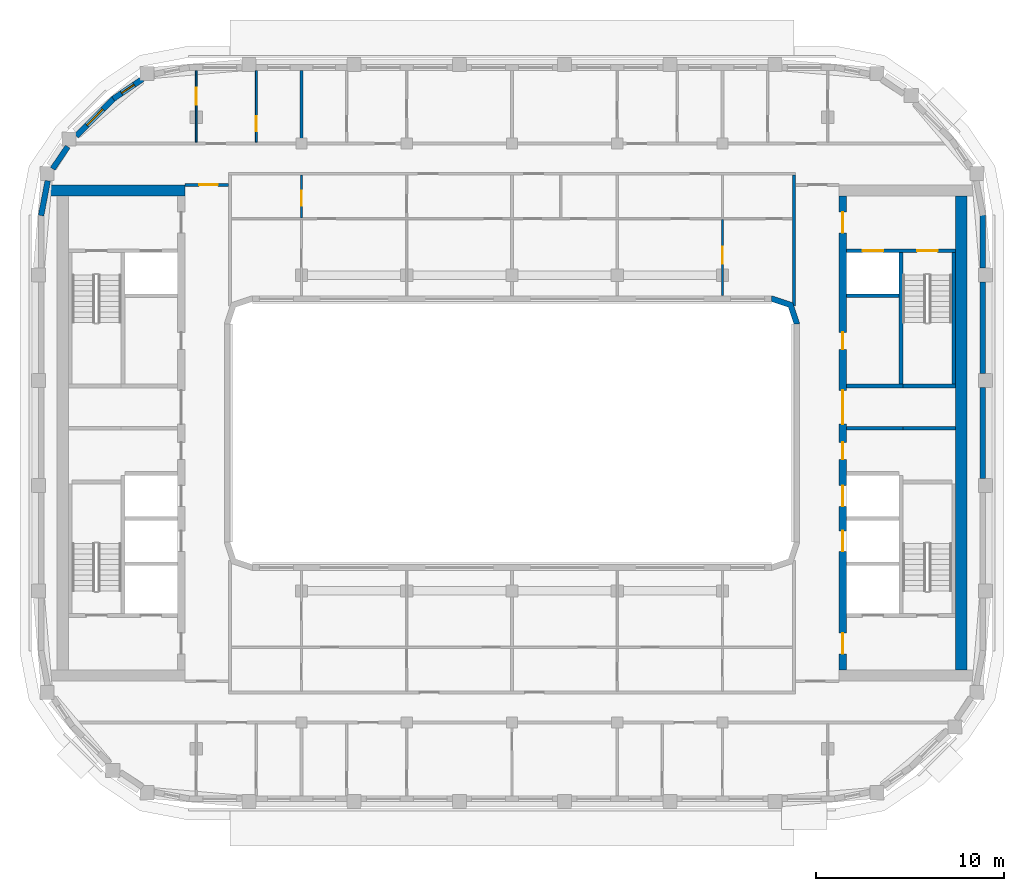
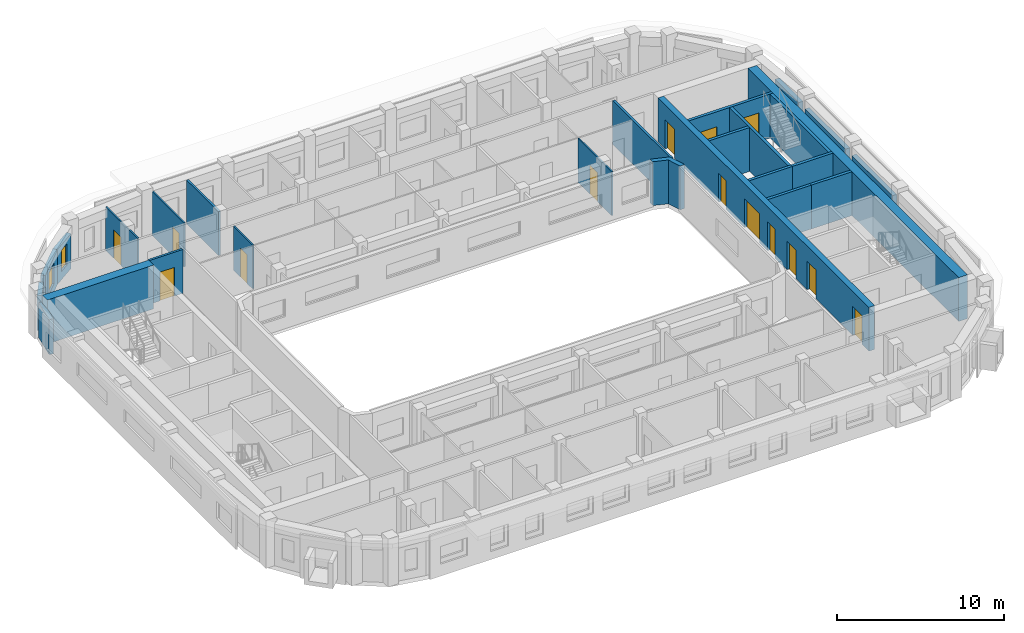
# One storey, part 6 of 16: 26 walls, 14 doors, 2 windows, 16 openings.
"""IFC4 building model written with IfcOpenShell, lengths in metres."""

from ifc_helpers import new_model, si_unit, direction, frame, frame_2d, origin, place, context, subcontext, project, spatial, polyline, rectangle, outline, extrude, material, layer, layer_set, type_object, element, fill, save


model = new_model("IFC4")

# Units and contexts
model_context = context("Model", 3, precision=1e-05, world=origin(), true_north=direction((0.0, 1.0)))
body_context = subcontext(model_context, "Body", "Model", "MODEL_VIEW")
ifc_project = project(units=[si_unit("LENGTHUNIT", "METRE"), si_unit("AREAUNIT", "SQUARE_METRE"), si_unit("VOLUMEUNIT", "CUBIC_METRE"), si_unit("PLANEANGLEUNIT", "RADIAN"), si_unit("MASSUNIT", "GRAM", prefix="KILO")], contexts=[model_context])

# Site, building, storey
site_placement = place(None, origin())
site = spatial("IfcSite", under=ifc_project, at=site_placement, CompositionType="ELEMENT")
building_placement = place(site_placement, origin())
building = spatial("IfcBuilding", under=site, at=building_placement, Name="Kiln Ring Residences", CompositionType="ELEMENT")
storey_placement = place(building_placement, frame((0.0, 0.0, 273.199951171875)))
storey = spatial("IfcBuildingStorey", under=building, at=storey_placement, Name="L71", CompositionType="ELEMENT", Elevation=273.199951171875)

# Walls
ifc_material_1 = material(Name="Gypsum board on steel studs", Category="steel")
ifc_layer_1 = layer(ifc_material_1, 0.199951171875)
ifc_layer_set_1 = layer_set([ifc_layer_1], Name="CORE-PARTITION-200")
wall_type_1 = type_object("IfcWallType", Name="CORE-PARTITION-200", PredefinedType="PARTITIONING", material=ifc_layer_set_1)
wall_1_placement = place(storey_placement, frame((20.800048828125, 0.25, 0.0), z_axis=(0.0, 0.0, 1.0), x_axis=(1.0, 0.0, 0.0)))
element("IfcWall", 1, at=wall_1_placement, inside=storey, type_object=wall_type_1, Name="Core partition east L71 1", PredefinedType="PARTITIONING", context=body_context, shape_type="SweptSolid", body=[
    extrude(rectangle(XDim=2.800048828125, YDim=0.199951171875, at=frame_2d((1.39990234375, 0.0))), origin(), (0.0, 0.0, 1.0), 3.199951171875),
])
ifc_material_2 = material(Name="Gypsum shaft wall system")
ifc_layer_2 = layer(ifc_material_2, 0.199951171875)
ifc_layer_set_2 = layer_set([ifc_layer_2], Name="CORE-SHAFT-WALL-200")
wall_type_2 = type_object("IfcWallType", Name="CORE-SHAFT-WALL-200", PredefinedType="PARTITIONING", material=ifc_layer_set_2)
for number, where, z_axis, x_axis, name in (
    (2, (17.800048828125, 0.25, 0.0), (0.0, 0.0, 1.0), (1.0, 0.0, 0.0), "Core partition east L71 5"),
    (3, (17.800048828125, 2.5, 0.0), (0.0, 0.0, 1.0), (1.0, 0.0, 0.0), "Core partition east L71 6"),
):
    element("IfcWall", number, at=place(storey_placement, frame(where, z_axis=z_axis, x_axis=x_axis)), inside=storey, type_object=wall_type_2, Name=name, PredefinedType="PARTITIONING", context=body_context, shape_type="SweptSolid", body=[
        extrude(rectangle(XDim=3.0, YDim=0.199951171875, at=frame_2d((1.5, 0.0))), origin(), (0.0, 0.0, 1.0), 3.199951171875),
    ])
wall_2_placement = place(storey_placement, frame((17.800048828125, 7.300048828125, 0.0), z_axis=(0.0, 0.0, 1.0), x_axis=(1.0, 0.0, 0.0)))
element("IfcWall", 4, at=wall_2_placement, inside=storey, type_object=wall_type_2, Name="Core partition east L71 7", PredefinedType="PARTITIONING", context=body_context, shape_type="SweptSolid", body=[
    extrude(rectangle(XDim=2.800048828125, YDim=0.199951171875, at=frame_2d((1.39990234375, 0.0))), origin(), (0.0, 0.0, 1.0), 3.199951171875),
])
ifc_material_3 = material(Name="Concrete C40/50", Category="concrete")
ifc_layer_3 = layer(ifc_material_3, 0.199951171875)
ifc_layer_set_3 = layer_set([ifc_layer_3], Name="CORE-WALL-RC200")
wall_type_3 = type_object("IfcWallType", Name="CORE-WALL-RC200", PredefinedType="SHEAR", material=ifc_layer_set_3)
wall_3_placement = place(storey_placement, frame((20.699951171875, 2.60009765625, 0.0), z_axis=(0.0, 0.0, 1.0), x_axis=(0.0, 1.0, 0.0)))
element("IfcWall", 5, at=wall_3_placement, inside=storey, type_object=wall_type_3, Name="Core wall east L71 1", PredefinedType="SHEAR", context=body_context, shape_type="SweptSolid", body=[
    extrude(rectangle(XDim=7.0, YDim=0.199951171875, at=frame_2d((3.5, 0.0))), origin(), (0.0, 0.0, 1.0), 3.199951171875),
])
wall_4_placement = place(storey_placement, frame((20.800048828125, 2.5, 0.0), z_axis=(0.0, 0.0, 1.0), x_axis=(1.0, 0.0, 0.0)))
element("IfcWall", 6, at=wall_4_placement, inside=storey, type_object=wall_type_3, Name="Core wall east L71 3", PredefinedType="SHEAR", context=body_context, shape_type="SweptSolid", body=[
    extrude(rectangle(XDim=2.800048828125, YDim=0.199951171875, at=frame_2d((1.39990234375, 0.0))), origin(), (0.0, 0.0, 1.0), 3.199951171875),
])

# Wall, openings, doors
wall_5_placement = place(storey_placement, frame((17.800048828125, 9.699951171875, 0.0), z_axis=(0.0, 0.0, 1.0), x_axis=(1.0, 0.0, 0.0)))
wall_5 = element("IfcWall", 7, at=wall_5_placement, inside=storey, type_object=wall_type_3, Name="Core wall east L71 9", PredefinedType="SHEAR", context=body_context, shape_type="SweptSolid", body=[
    extrude(rectangle(XDim=5.800048828125, YDim=0.199951171875, at=frame_2d((2.89990234375, 0.0))), origin(), (0.0, 0.0, 1.0), 3.199951171875),
])
opening_1_placement = place(wall_5_placement, frame((0.85009765625, 0.0, 0.0)))
opening_1 = element("IfcOpeningElement", 8, at=opening_1_placement, cuts=wall_5, Name="Opening L71-CE06", PredefinedType="OPENING", context=body_context, shape_type="SweptSolid", body=[
    extrude(rectangle(XDim=1.10009765625, YDim=2.10009765625, at=frame_2d((0.550048828125, 1.050048828125))), frame((0.0, 0.10986328125, 0.0), z_axis=(0.0, -1.0, 0.0), x_axis=(1.0, 0.0, 0.0)), (0.0, 0.0, 1.0), 0.219970703125),
])
opening_2_placement = place(wall_5_placement, frame((3.75, 0.0, 0.0)))
opening_2 = element("IfcOpeningElement", 9, at=opening_2_placement, cuts=wall_5, Name="Opening L71-CE09", PredefinedType="OPENING", context=body_context, shape_type="SweptSolid", body=[
    extrude(rectangle(XDim=1.10009765625, YDim=2.10009765625, at=frame_2d((0.550048828125, 1.050048828125))), frame((0.0, 0.10986328125, 0.0), z_axis=(0.0, -1.0, 0.0), x_axis=(1.0, 0.0, 0.0)), (0.0, 0.0, 1.0), 0.219970703125),
])
ifc_material_4 = material(Name="Steel door leaf", Category="steel")
door_type_1 = type_object("IfcDoorType", Name="CORE-DOOR-LD", OperationType="DOUBLE_DOOR_SLIDING", PredefinedType="DOOR", material=ifc_material_4)
door_1_placement = place(opening_1_placement, origin())
door_1 = element("IfcDoor", 10, at=door_1_placement, inside=storey, type_object=door_type_1, Name="LD E-FF L71-CE06", OperationType="DOUBLE_DOOR_SLIDING", OverallHeight=2.10009765625, OverallWidth=1.10009765625, PredefinedType="DOOR", context=body_context, shape_type="SweptSolid", body=[
    extrude(rectangle(XDim=1.10009765625, YDim=2.10009765625, at=frame_2d((0.550048828125, 1.050048828125))), frame((0.0, 0.02490234375, 0.0), z_axis=(0.0, -1.0, 0.0), x_axis=(1.0, 0.0, 0.0)), (0.0, 0.0, 1.0), 0.050048828125),
])
fill(opening_1, door_1)
ifc_material_5 = material(Name="Steel door leaf", Category="steel")
door_type_2 = type_object("IfcDoorType", Name="CORE-DOOR-STAIR", OperationType="SINGLE_SWING_LEFT", PredefinedType="DOOR", material=ifc_material_5)
door_2_placement = place(opening_2_placement, origin())
door_2 = element("IfcDoor", 11, at=door_2_placement, inside=storey, type_object=door_type_2, Name="Stair E-STN L71-CE09", OperationType="SINGLE_SWING_RIGHT", OverallHeight=2.10009765625, OverallWidth=1.10009765625, PredefinedType="DOOR", context=body_context, shape_type="SweptSolid", body=[
    extrude(rectangle(XDim=1.10009765625, YDim=2.10009765625, at=frame_2d((0.550048828125, 1.050048828125))), frame((0.0, 0.02490234375, 0.0), z_axis=(0.0, -1.0, 0.0), x_axis=(1.0, 0.0, 0.0)), (0.0, 0.0, 1.0), 0.050048828125),
])
fill(opening_2, door_2)

# Wall
wall_6_placement = place(storey_placement, frame((23.5, 2.60009765625, 0.0), z_axis=(0.0, 0.0, 1.0), x_axis=(0.0, 1.0, 0.0)))
element("IfcWall", 12, at=wall_6_placement, inside=storey, type_object=wall_type_3, Name="Core wall east L71 10", PredefinedType="SHEAR", context=body_context, shape_type="SweptSolid", body=[
    extrude(rectangle(XDim=7.0, YDim=0.199951171875, at=frame_2d((3.5, 0.0))), origin(), (0.0, 0.0, 1.0), 3.199951171875),
])

# Wall, openings, doors
ifc_material_6 = material(Name="Concrete C60/75", Category="concrete")
ifc_layer_4 = layer(ifc_material_6, 0.39990234375)
ifc_layer_set_4 = layer_set([ifc_layer_4], Name="CORE-WALL-RC400")
wall_type_4 = type_object("IfcWallType", Name="CORE-WALL-RC400", PredefinedType="SHEAR", material=ifc_layer_set_4)
wall_7_placement = place(storey_placement, frame((17.60009765625, -12.60009765625, 0.0), z_axis=(0.0, 0.0, 1.0), x_axis=(0.0, 1.0, 0.0)))
wall_7 = element("IfcWall", 13, at=wall_7_placement, inside=storey, type_object=wall_type_4, Name="Core wall east L71 6", PredefinedType="SHEAR", context=body_context, shape_type="SweptSolid", body=[
    extrude(rectangle(XDim=25.2001953125, YDim=0.39990234375, at=frame_2d((12.60009765625, 0.0))), origin(), (0.0, 0.0, 1.0), 3.199951171875),
])
opening_3_placement = place(wall_7_placement, frame((6.300048828125, 0.0, 0.0)))
opening_3 = element("IfcOpeningElement", 14, at=opening_3_placement, cuts=wall_7, Name="Opening L71-CE02", PredefinedType="OPENING", context=body_context, shape_type="SweptSolid", body=[
    extrude(rectangle(XDim=1.10009765625, YDim=2.10009765625, at=frame_2d((0.550048828125, 1.050048828125))), frame((0.0, 0.2099609375, 0.0), z_axis=(0.0, -1.0, 0.0), x_axis=(1.0, 0.0, 0.0)), (0.0, 0.0, 1.0), 0.419921875),
])
opening_4_placement = place(wall_7_placement, frame((8.699951171875, 0.0, 0.0)))
opening_4 = element("IfcOpeningElement", 15, at=opening_4_placement, cuts=wall_7, Name="Opening L71-CE03", PredefinedType="OPENING", context=body_context, shape_type="SweptSolid", body=[
    extrude(rectangle(XDim=1.10009765625, YDim=2.10009765625, at=frame_2d((0.550048828125, 1.050048828125))), frame((0.0, 0.2099609375, 0.0), z_axis=(0.0, -1.0, 0.0), x_axis=(1.0, 0.0, 0.0)), (0.0, 0.0, 1.0), 0.419921875),
])
opening_5_placement = place(wall_7_placement, frame((11.199951171875, 0.0, 0.0)))
opening_5 = element("IfcOpeningElement", 16, at=opening_5_placement, cuts=wall_7, Name="Opening L71-CE04", PredefinedType="OPENING", context=body_context, shape_type="SweptSolid", body=[
    extrude(rectangle(XDim=0.89990234375, YDim=2.10009765625, at=frame_2d((0.449951171875, 1.050048828125))), frame((0.0, 0.2099609375, 0.0), z_axis=(0.0, -1.0, 0.0), x_axis=(1.0, 0.0, 0.0)), (0.0, 0.0, 1.0), 0.419921875),
])
opening_6_placement = place(wall_7_placement, frame((17.050048828125, 0.0, 0.0)))
opening_6 = element("IfcOpeningElement", 17, at=opening_6_placement, cuts=wall_7, Name="Opening L71-CE05", PredefinedType="OPENING", context=body_context, shape_type="SweptSolid", body=[
    extrude(rectangle(XDim=0.89990234375, YDim=2.10009765625, at=frame_2d((0.449951171875, 1.050048828125))), frame((0.0, 0.2099609375, 0.0), z_axis=(0.0, -1.0, 0.0), x_axis=(1.0, 0.0, 0.0)), (0.0, 0.0, 1.0), 0.419921875),
])
opening_7_placement = place(wall_7_placement, frame((23.25, 0.0, 0.0)))
opening_7 = element("IfcOpeningElement", 18, at=opening_7_placement, cuts=wall_7, Name="Opening L71-CE07", PredefinedType="OPENING", context=body_context, shape_type="SweptSolid", body=[
    extrude(rectangle(XDim=1.10009765625, YDim=2.10009765625, at=frame_2d((0.550048828125, 1.050048828125))), frame((0.0, 0.2099609375, 0.0), z_axis=(0.0, -1.0, 0.0), x_axis=(1.0, 0.0, 0.0)), (0.0, 0.0, 1.0), 0.419921875),
])
opening_8_placement = place(wall_7_placement, frame((0.85009765625, 0.0, 0.0)))
opening_8 = element("IfcOpeningElement", 19, at=opening_8_placement, cuts=wall_7, Name="Opening L71-CE08", PredefinedType="OPENING", context=body_context, shape_type="SweptSolid", body=[
    extrude(rectangle(XDim=1.10009765625, YDim=2.10009765625, at=frame_2d((0.550048828125, 1.050048828125))), frame((0.0, 0.2099609375, 0.0), z_axis=(0.0, -1.0, 0.0), x_axis=(1.0, 0.0, 0.0)), (0.0, 0.0, 1.0), 0.419921875),
])
opening_9_placement = place(wall_7_placement, frame((13.074951171875, 0.0, 0.0)))
opening_9 = element("IfcOpeningElement", 20, at=opening_9_placement, cuts=wall_7, Name="Opening L71-CE11", PredefinedType="OPENING", context=body_context, shape_type="SweptSolid", body=[
    extrude(rectangle(XDim=1.800048828125, YDim=2.10009765625, at=frame_2d((0.89990234375, 1.050048828125))), frame((0.0, 0.2099609375, 0.0), z_axis=(0.0, -1.0, 0.0), x_axis=(1.0, 0.0, 0.0)), (0.0, 0.0, 1.0), 0.419921875),
])
door_3_placement = place(opening_3_placement, origin())
door_3 = element("IfcDoor", 21, at=door_3_placement, inside=storey, type_object=door_type_1, Name="LD E-H1 L71-CE02", OperationType="DOUBLE_DOOR_SLIDING", OverallHeight=2.10009765625, OverallWidth=1.10009765625, PredefinedType="DOOR", context=body_context, shape_type="SweptSolid", body=[
    extrude(rectangle(XDim=1.10009765625, YDim=2.10009765625, at=frame_2d((0.550048828125, 1.050048828125))), frame((0.0, 0.02490234375, 0.0), z_axis=(0.0, -1.0, 0.0), x_axis=(1.0, 0.0, 0.0)), (0.0, 0.0, 1.0), 0.050048828125),
])
fill(opening_3, door_3)
door_4_placement = place(opening_4_placement, origin())
door_4 = element("IfcDoor", 22, at=door_4_placement, inside=storey, type_object=door_type_1, Name="LD E-H2 L71-CE03", OperationType="DOUBLE_DOOR_SLIDING", OverallHeight=2.10009765625, OverallWidth=1.10009765625, PredefinedType="DOOR", context=body_context, shape_type="SweptSolid", body=[
    extrude(rectangle(XDim=1.10009765625, YDim=2.10009765625, at=frame_2d((0.550048828125, 1.050048828125))), frame((0.0, 0.02490234375, 0.0), z_axis=(0.0, -1.0, 0.0), x_axis=(1.0, 0.0, 0.0)), (0.0, 0.0, 1.0), 0.050048828125),
])
fill(opening_4, door_4)
ifc_material_7 = material(Name="Steel door leaf", Category="steel")
door_type_3 = type_object("IfcDoorType", Name="CORE-DOOR-LOBBY", OperationType="SINGLE_SWING_LEFT", PredefinedType="DOOR", material=ifc_material_7)
door_5_placement = place(opening_7_placement, origin())
door_5 = element("IfcDoor", 23, at=door_5_placement, inside=storey, type_object=door_type_3, Name="FFL L71-CE07", OperationType="SINGLE_SWING_LEFT", OverallHeight=2.10009765625, OverallWidth=1.10009765625, PredefinedType="DOOR", context=body_context, shape_type="SweptSolid", body=[
    extrude(rectangle(XDim=1.10009765625, YDim=2.10009765625, at=frame_2d((0.550048828125, 1.050048828125))), frame((0.0, 0.02490234375, 0.0), z_axis=(0.0, -1.0, 0.0), x_axis=(1.0, 0.0, 0.0)), (0.0, 0.0, 1.0), 0.050048828125),
])
fill(opening_7, door_5)
door_6_placement = place(opening_8_placement, origin())
door_6 = element("IfcDoor", 24, at=door_6_placement, inside=storey, type_object=door_type_3, Name="SVL L71-CE08", OperationType="SINGLE_SWING_RIGHT", OverallHeight=2.10009765625, OverallWidth=1.10009765625, PredefinedType="DOOR", context=body_context, shape_type="SweptSolid", body=[
    extrude(rectangle(XDim=1.10009765625, YDim=2.10009765625, at=frame_2d((0.550048828125, 1.050048828125))), frame((0.0, 0.02490234375, 0.0), z_axis=(0.0, -1.0, 0.0), x_axis=(1.0, 0.0, 0.0)), (0.0, 0.0, 1.0), 0.050048828125),
])
fill(opening_8, door_6)
ifc_material_8 = material(Name="Steel door leaf", Category="steel")
door_type_4 = type_object("IfcDoorType", Name="CORE-DOOR-PASS", OperationType="DOUBLE_DOOR_SINGLE_SWING", PredefinedType="DOOR", material=ifc_material_8)
door_7_placement = place(opening_9_placement, origin())
door_7 = element("IfcDoor", 25, at=door_7_placement, inside=storey, type_object=door_type_4, Name="Core passage L71-CE11", OperationType="DOUBLE_DOOR_SINGLE_SWING", OverallHeight=2.10009765625, OverallWidth=1.800048828125, PredefinedType="DOOR", context=body_context, shape_type="SweptSolid", body=[
    extrude(rectangle(XDim=1.800048828125, YDim=2.10009765625, at=frame_2d((0.89990234375, 1.050048828125))), frame((0.0, 0.02490234375, 0.0), z_axis=(0.0, -1.0, 0.0), x_axis=(1.0, 0.0, 0.0)), (0.0, 0.0, 1.0), 0.050048828125),
])
fill(opening_9, door_7)
ifc_material_9 = material(Name="Steel door leaf", Category="steel")
door_type_5 = type_object("IfcDoorType", Name="CORE-DOOR-ROOM", OperationType="SINGLE_SWING_LEFT", PredefinedType="DOOR", material=ifc_material_9)
door_8_placement = place(opening_5_placement, origin())
door_8 = element("IfcDoor", 26, at=door_8_placement, inside=storey, type_object=door_type_5, Name="Store L71-CE04", OperationType="SINGLE_SWING_LEFT", OverallHeight=2.10009765625, OverallWidth=0.89990234375, PredefinedType="DOOR", context=body_context, shape_type="SweptSolid", body=[
    extrude(rectangle(XDim=0.89990234375, YDim=2.10009765625, at=frame_2d((0.449951171875, 1.050048828125))), frame((0.0, 0.02490234375, 0.0), z_axis=(0.0, -1.0, 0.0), x_axis=(1.0, 0.0, 0.0)), (0.0, 0.0, 1.0), 0.050048828125),
])
fill(opening_5, door_8)
door_9_placement = place(opening_6_placement, origin())
door_9 = element("IfcDoor", 27, at=door_9_placement, inside=storey, type_object=door_type_5, Name="Housekeeping store L71-CE05", OperationType="SINGLE_SWING_RIGHT", OverallHeight=2.10009765625, OverallWidth=0.89990234375, PredefinedType="DOOR", context=body_context, shape_type="SweptSolid", body=[
    extrude(rectangle(XDim=0.89990234375, YDim=2.10009765625, at=frame_2d((0.449951171875, 1.050048828125))), frame((0.0, 0.02490234375, 0.0), z_axis=(0.0, -1.0, 0.0), x_axis=(1.0, 0.0, 0.0)), (0.0, 0.0, 1.0), 0.050048828125),
])
fill(opening_6, door_9)

# Walls
ifc_material_10 = material(Name="Concrete C60/75", Category="concrete")
ifc_layer_5 = layer(ifc_material_10, 0.60009765625)
ifc_layer_set_5 = layer_set([ifc_layer_5], Name="CORE-WALL-RC600")
wall_type_5 = type_object("IfcWallType", Name="CORE-WALL-RC600", PredefinedType="SHEAR", material=ifc_layer_set_5)
wall_8_placement = place(storey_placement, frame((-17.39990234375, 12.89990234375, 0.0), z_axis=(0.0, 0.0, 1.0), x_axis=(-1.0, 0.0, 0.0)))
element("IfcWall", 28, at=wall_8_placement, inside=storey, type_object=wall_type_5, Name="Core wall west L71 4", PredefinedType="SHEAR", context=body_context, shape_type="SweptSolid", body=[
    extrude(rectangle(XDim=7.320068359375, YDim=0.60009765625, at=frame_2d((3.66015625, 0.0))), origin(), (0.0, 0.0, 1.0), 3.199951171875),
])
wall_9_placement = place(storey_placement, frame((23.89990234375, -12.60009765625, 0.0), z_axis=(0.0, 0.0, 1.0), x_axis=(0.0, 1.0, 0.0)))
element("IfcWall", 29, at=wall_9_placement, inside=storey, type_object=wall_type_5, Name="Core wall east L71 7", PredefinedType="SHEAR", context=body_context, shape_type="SweptSolid", body=[
    extrude(rectangle(XDim=25.2001953125, YDim=0.60009765625, at=frame_2d((12.60009765625, 0.0))), origin(), (0.0, 0.0, 1.0), 3.199951171875),
])
ifc_material_11 = material(Name="Brick masonry, dark clay brick", Category="masonry")
ifc_layer_6 = layer(ifc_material_11, 0.300048828125)
ifc_layer_set_6 = layer_set([ifc_layer_6], Name="EW-300 BRICK WALL")
wall_type_6 = type_object("IfcWallType", Name="EW-300 BRICK WALL", PredefinedType="SOLIDWALL", material=ifc_layer_set_6)
wall_10_placement = place(storey_placement, frame((25.050048828125, -2.425048828125, 0.0), z_axis=(0.0, 0.0, 1.0), x_axis=(0.0, 1.0, 0.0)))
element("IfcWall", 30, at=wall_10_placement, inside=storey, type_object=wall_type_6, Name="Facade wall L71 18", PredefinedType="SOLIDWALL", context=body_context, shape_type="SweptSolid", body=[
    extrude(rectangle(XDim=4.85009765625, YDim=0.300048828125, at=frame_2d((2.425048828125, 0.0))), origin(), (0.0, 0.0, 1.0), 2.550048828125),
])
wall_11_placement = place(storey_placement, frame((25.050048828125, 3.175048828125, 0.0), z_axis=(0.0, 0.0, 1.0), x_axis=(0.0, 1.0, 0.0)))
element("IfcWall", 31, at=wall_11_placement, inside=storey, type_object=wall_type_6, Name="Facade wall L71 19", PredefinedType="SOLIDWALL", context=body_context, shape_type="SweptSolid", body=[
    extrude(rectangle(XDim=4.849853515625, YDim=0.300048828125, at=frame_2d((2.4248046875, 0.0))), origin(), (0.0, 0.0, 1.0), 2.550048828125),
])
wall_12_placement = place(storey_placement, frame((25.050048828125, 8.77490234375, 0.0), z_axis=(0.0, 0.0, 1.0), x_axis=(0.0, 1.0, 0.0)))
element("IfcWall", 32, at=wall_12_placement, inside=storey, type_object=wall_type_6, Name="Facade wall L71 20", PredefinedType="SOLIDWALL", context=body_context, shape_type="SweptSolid", body=[
    extrude(rectangle(XDim=2.8251953125, YDim=0.300048828125, at=frame_2d((1.41259765625, 0.0))), origin(), (0.0, 0.0, 1.0), 2.550048828125),
])

# Wall, opening, window
wall_13_placement = place(storey_placement, frame((-19.656982421875, 18.836181640625, 0.0), z_axis=(0.0, 0.0, 1.0), x_axis=(-0.82704477487, -0.562136051469, 0.0)))
wall_13 = element("IfcWall", 33, at=wall_13_placement, inside=storey, type_object=wall_type_6, Name="Facade wall L71 34", PredefinedType="SOLIDWALL", context=body_context, shape_type="SweptSolid", body=[
    extrude(rectangle(XDim=1.881103515625, YDim=0.300048828125, at=frame_2d((0.9404296875, 0.0))), origin(), (0.0, 0.0, 1.0), 2.550048828125),
])
opening_10_placement = place(wall_13_placement, frame((0.54052734375, 0.0, 0.60009765625)))
opening_10 = element("IfcOpeningElement", 34, at=opening_10_placement, cuts=wall_13, Name="Opening W5", PredefinedType="OPENING", context=body_context, shape_type="SweptSolid", body=[
    extrude(rectangle(XDim=0.800048828125, YDim=1.550048828125, at=frame_2d((0.39990234375, 0.77490234375))), frame((0.0, 0.159912109375, 0.0), z_axis=(0.0, -1.0, 0.0), x_axis=(1.0, 0.0, 0.0)), (0.0, 0.0, 1.0), 0.320068359375),
])
ifc_material_12 = material(Name="Aluminium frame with double glazing", Category="aluminium")
window_type_1 = type_object("IfcWindowType", Name="WINDOW 800 x 1550", PartitioningType="SINGLE_PANEL", PredefinedType="WINDOW", material=ifc_material_12)
window_1_placement = place(opening_10_placement, origin())
window_1 = element("IfcWindow", 35, at=window_1_placement, inside=storey, type_object=window_type_1, Name="Window L71 34", OverallHeight=1.550048828125, OverallWidth=0.800048828125, PartitioningType="SINGLE_PANEL", PredefinedType="WINDOW", context=body_context, shape_type="SweptSolid", body=[
    extrude(rectangle(XDim=0.800048828125, YDim=1.550048828125, at=frame_2d((0.39990234375, 0.77490234375))), frame((0.0, 0.030029296875, 0.0), z_axis=(0.0, -1.0, 0.0), x_axis=(1.0, 0.0, 0.0)), (0.0, 0.0, 1.0), 0.06005859375),
])
fill(opening_10, window_1)

wall_14_placement = place(storey_placement, frame((-21.19091796875, 17.796875, 0.0), z_axis=(0.0, 0.0, 1.0), x_axis=(-0.707106781187, -0.707106781187, 0.0)))
wall_14 = element("IfcWall", 36, at=wall_14_placement, inside=storey, type_object=wall_type_6, Name="Facade wall L71 35", PredefinedType="SOLIDWALL", context=body_context, shape_type="SweptSolid", body=[
    extrude(rectangle(XDim=2.824951171875, YDim=0.300048828125, at=frame_2d((1.41259765625, 0.0))), origin(), (0.0, 0.0, 1.0), 2.550048828125),
])
opening_11_placement = place(wall_14_placement, frame((0.8125, 0.0, 0.60009765625)))
opening_11 = element("IfcOpeningElement", 37, at=opening_11_placement, cuts=wall_14, Name="Opening W1", PredefinedType="OPENING", context=body_context, shape_type="SweptSolid", body=[
    extrude(rectangle(XDim=1.199951171875, YDim=1.550048828125, at=frame_2d((0.60009765625, 0.77490234375))), frame((0.0, 0.159912109375, 0.0), z_axis=(0.0, -1.0, 0.0), x_axis=(1.0, 0.0, 0.0)), (0.0, 0.0, 1.0), 0.320068359375),
])
ifc_material_13 = material(Name="Aluminium frame with double glazing", Category="aluminium")
window_type_2 = type_object("IfcWindowType", Name="WINDOW 1200 x 1550", PartitioningType="SINGLE_PANEL", PredefinedType="WINDOW", material=ifc_material_13)
window_2_placement = place(opening_11_placement, origin())
window_2 = element("IfcWindow", 38, at=window_2_placement, inside=storey, type_object=window_type_2, Name="Window L71 35", OverallHeight=1.550048828125, OverallWidth=1.199951171875, PartitioningType="SINGLE_PANEL", PredefinedType="WINDOW", context=body_context, shape_type="SweptSolid", body=[
    extrude(rectangle(XDim=1.199951171875, YDim=1.550048828125, at=frame_2d((0.60009765625, 0.77490234375))), frame((0.0, 0.030029296875, 0.0), z_axis=(0.0, -1.0, 0.0), x_axis=(1.0, 0.0, 0.0)), (0.0, 0.0, 1.0), 0.06005859375),
])
fill(opening_11, window_2)

# Walls
wall_15_placement = place(storey_placement, frame((-23.634033203125, 15.2373046875, 0.0), z_axis=(0.0, 0.0, 1.0), x_axis=(-0.562099454787, -0.827069648173, 0.0)))
element("IfcWall", 39, at=wall_15_placement, inside=storey, type_object=wall_type_6, Name="Facade wall L71 36", PredefinedType="SOLIDWALL", context=body_context, shape_type="SweptSolid", body=[
    extrude(rectangle(XDim=1.42724609375, YDim=0.300048828125, at=frame_2d((0.713623046875, 0.0))), origin(), (0.0, 0.0, 1.0), 2.550048828125),
])
wall_16_placement = place(storey_placement, frame((-24.7001953125, 13.419677734375, 0.0), z_axis=(0.0, 0.0, 1.0), x_axis=(-0.187398348234, -0.982284001233, 0.0)))
element("IfcWall", 40, at=wall_16_placement, inside=storey, type_object=wall_type_6, Name="Facade wall L71 37", PredefinedType="SOLIDWALL", context=body_context, shape_type="SweptSolid", body=[
    extrude(rectangle(XDim=1.88134765625, YDim=0.300048828125, at=frame_2d((0.940673828125, 0.0))), origin(), (0.0, 0.0, 1.0), 2.550048828125),
])
wall_17_placement = place(storey_placement, origin())
element("IfcWall", 41, at=wall_17_placement, inside=storey, type_object=wall_type_6, Name="Corner wall L71 2", PredefinedType="SOLIDWALL", context=body_context, shape_type="SweptSolid", body=[
    extrude(outline(polyline([(14.937255859375, 6.937255859375), (13.8486328125, 7.300048828125), (13.800048828125, 7.300048828125), (13.800048828125, 7.0), (14.699951171875, 6.699951171875), (15.0, 5.800048828125), (15.300048828125, 5.800048828125), (15.300048828125, 5.8486328125), (14.937255859375, 6.937255859375)])), origin(), (0.0, 0.0, 1.0), 3.199951171875),
])

# Wall, opening, door
ifc_material_14 = material(Name="Gypsum board on steel studs", Category="steel")
ifc_layer_7 = layer(ifc_material_14, 0.10009765625)
ifc_layer_set_7 = layer_set([ifc_layer_7], Name="PARTITION-100")
wall_type_7 = type_object("IfcWallType", Name="PARTITION-100", PredefinedType="PARTITIONING", material=ifc_layer_set_7)
wall_18_placement = place(storey_placement, frame((-16.800048828125, 15.47509765625, 0.0), z_axis=(0.0, 0.0, 1.0), x_axis=(0.0, 1.0, 0.0)))
wall_18 = element("IfcWall", 42, at=wall_18_placement, inside=storey, type_object=wall_type_7, Name="Partition 011", PredefinedType="PARTITIONING", context=body_context, shape_type="SweptSolid", body=[
    extrude(rectangle(XDim=3.804931640625, YDim=0.10009765625, at=frame_2d((1.90234375, 0.0))), origin(), (0.0, 0.0, 1.0), 3.199951171875),
])
opening_12_placement = place(wall_18_placement, frame((1.985107421875, 0.0, 0.0)))
opening_12 = element("IfcOpeningElement", 43, at=opening_12_placement, cuts=wall_18, Name="Opening L71-D020", PredefinedType="OPENING", context=body_context, shape_type="SweptSolid", body=[
    extrude(rectangle(XDim=0.89990234375, YDim=2.10009765625, at=frame_2d((0.449951171875, 1.050048828125))), frame((0.0, 0.06005859375, 0.0), z_axis=(0.0, -1.0, 0.0), x_axis=(1.0, 0.0, 0.0)), (0.0, 0.0, 1.0), 0.1201171875),
])
ifc_material_15 = material(Name="Timber door leaf", Category="wood")
door_type_6 = type_object("IfcDoorType", Name="FLAT-DOOR-900-PL", OperationType="SINGLE_SWING_LEFT", PredefinedType="DOOR", material=ifc_material_15)
door_10_placement = place(opening_12_placement, origin())
door_10 = element("IfcDoor", 44, at=door_10_placement, inside=storey, type_object=door_type_6, Name="Door L71-D020", OperationType="SINGLE_SWING_LEFT", OverallHeight=2.10009765625, OverallWidth=0.89990234375, PredefinedType="DOOR", context=body_context, shape_type="SweptSolid", body=[
    extrude(rectangle(XDim=0.89990234375, YDim=2.10009765625, at=frame_2d((0.449951171875, 1.050048828125))), frame((0.0, 0.02490234375, 0.0), z_axis=(0.0, -1.0, 0.0), x_axis=(1.0, 0.0, 0.0)), (0.0, 0.0, 1.0), 0.050048828125),
])
fill(opening_12, door_10)

wall_19_placement = place(storey_placement, frame((-13.60009765625, 15.47509765625, 0.0), z_axis=(0.0, 0.0, 1.0), x_axis=(0.0, 1.0, 0.0)))
wall_19 = element("IfcWall", 45, at=wall_19_placement, inside=storey, type_object=wall_type_7, Name="Partition 015", PredefinedType="PARTITIONING", context=body_context, shape_type="SweptSolid", body=[
    extrude(rectangle(XDim=3.804931640625, YDim=0.10009765625, at=frame_2d((1.90234375, 0.0))), origin(), (0.0, 0.0, 1.0), 3.199951171875),
])
opening_13_placement = place(wall_19_placement, frame((0.575927734375, 0.0, 0.0)))
opening_13 = element("IfcOpeningElement", 46, at=opening_13_placement, cuts=wall_19, Name="Opening L71-D019", PredefinedType="OPENING", context=body_context, shape_type="SweptSolid", body=[
    extrude(rectangle(XDim=0.800048828125, YDim=2.10009765625, at=frame_2d((0.39990234375, 1.050048828125))), frame((0.0, 0.06005859375, 0.0), z_axis=(0.0, -1.0, 0.0), x_axis=(1.0, 0.0, 0.0)), (0.0, 0.0, 1.0), 0.1201171875),
])
ifc_material_16 = material(Name="Timber door leaf", Category="wood")
door_type_7 = type_object("IfcDoorType", Name="FLAT-DOOR-800-PL", OperationType="SINGLE_SWING_LEFT", PredefinedType="DOOR", material=ifc_material_16)
door_11_placement = place(opening_13_placement, origin())
door_11 = element("IfcDoor", 47, at=door_11_placement, inside=storey, type_object=door_type_7, Name="Door L71-D019", OperationType="SINGLE_SWING_LEFT", OverallHeight=2.10009765625, OverallWidth=0.800048828125, PredefinedType="DOOR", context=body_context, shape_type="SweptSolid", body=[
    extrude(rectangle(XDim=0.800048828125, YDim=2.10009765625, at=frame_2d((0.39990234375, 1.050048828125))), frame((0.0, 0.02490234375, 0.0), z_axis=(0.0, -1.0, 0.0), x_axis=(1.0, 0.0, 0.0)), (0.0, 0.0, 1.0), 0.050048828125),
])
fill(opening_13, door_11)

wall_20_placement = place(storey_placement, frame((-11.199951171875, 11.449951171875, 0.0), z_axis=(0.0, 0.0, 1.0), x_axis=(0.0, 1.0, 0.0)))
wall_20 = element("IfcWall", 48, at=wall_20_placement, inside=storey, type_object=wall_type_7, Name="Partition 019", PredefinedType="PARTITIONING", context=body_context, shape_type="SweptSolid", body=[
    extrude(rectangle(XDim=2.275146484375, YDim=0.10009765625, at=frame_2d((1.1376953125, 0.0))), origin(), (0.0, 0.0, 1.0), 3.199951171875),
])
opening_14_placement = place(wall_20_placement, frame((0.64892578125, 0.0, 0.0)))
opening_14 = element("IfcOpeningElement", 49, at=opening_14_placement, cuts=wall_20, Name="Opening L71-D007", PredefinedType="OPENING", context=body_context, shape_type="SweptSolid", body=[
    extrude(rectangle(XDim=0.800048828125, YDim=2.10009765625, at=frame_2d((0.39990234375, 1.050048828125))), frame((0.0, 0.06005859375, 0.0), z_axis=(0.0, -1.0, 0.0), x_axis=(1.0, 0.0, 0.0)), (0.0, 0.0, 1.0), 0.1201171875),
])
door_12_placement = place(opening_14_placement, origin())
door_12 = element("IfcDoor", 50, at=door_12_placement, inside=storey, type_object=door_type_7, Name="Door L71-D007", OperationType="SINGLE_SWING_LEFT", OverallHeight=2.10009765625, OverallWidth=0.800048828125, PredefinedType="DOOR", context=body_context, shape_type="SweptSolid", body=[
    extrude(rectangle(XDim=0.800048828125, YDim=2.10009765625, at=frame_2d((0.39990234375, 1.050048828125))), frame((0.0, 0.02490234375, 0.0), z_axis=(0.0, -1.0, 0.0), x_axis=(1.0, 0.0, 0.0)), (0.0, 0.0, 1.0), 0.050048828125),
])
fill(opening_14, door_12)

wall_21_placement = place(storey_placement, frame((11.199951171875, 7.320068359375, 0.0), z_axis=(0.0, 0.0, 1.0), x_axis=(0.0, 1.0, 0.0)))
wall_21 = element("IfcWall", 51, at=wall_21_placement, inside=storey, type_object=wall_type_7, Name="Partition 048", PredefinedType="PARTITIONING", context=body_context, shape_type="SweptSolid", body=[
    extrude(rectangle(XDim=4.030029296875, YDim=0.10009765625, at=frame_2d((2.01513671875, 0.0))), origin(), (0.0, 0.0, 1.0), 3.199951171875),
])
opening_15_placement = place(wall_21_placement, frame((1.699951171875, 0.0, 0.0)))
opening_15 = element("IfcOpeningElement", 52, at=opening_15_placement, cuts=wall_21, Name="Opening L71-D017", PredefinedType="OPENING", context=body_context, shape_type="SweptSolid", body=[
    extrude(rectangle(XDim=0.89990234375, YDim=2.10009765625, at=frame_2d((0.449951171875, 1.050048828125))), frame((0.0, 0.06005859375, 0.0), z_axis=(0.0, -1.0, 0.0), x_axis=(1.0, 0.0, 0.0)), (0.0, 0.0, 1.0), 0.1201171875),
])
door_13_placement = place(opening_15_placement, origin())
door_13 = element("IfcDoor", 53, at=door_13_placement, inside=storey, type_object=door_type_6, Name="Door L71-D017", OperationType="SINGLE_SWING_RIGHT", OverallHeight=2.10009765625, OverallWidth=0.89990234375, PredefinedType="DOOR", context=body_context, shape_type="SweptSolid", body=[
    extrude(rectangle(XDim=0.89990234375, YDim=2.10009765625, at=frame_2d((0.449951171875, 1.050048828125))), frame((0.0, 0.02490234375, 0.0), z_axis=(0.0, -1.0, 0.0), x_axis=(1.0, 0.0, 0.0)), (0.0, 0.0, 1.0), 0.050048828125),
])
fill(opening_15, door_13)

ifc_material_17 = material(Name="Brick masonry partition", Category="masonry")
ifc_layer_8 = layer(ifc_material_17, 0.14990234375)
ifc_layer_set_8 = layer_set([ifc_layer_8], Name="PARTITION-150-ei60")
wall_type_8 = type_object("IfcWallType", Name="PARTITION-150-ei60", PredefinedType="PARTITIONING", material=ifc_layer_set_8)
wall_22_placement = place(storey_placement, frame((-17.39990234375, 13.199951171875, 0.0), z_axis=(0.0, 0.0, 1.0), x_axis=(1.0, 0.0, 0.0)))
wall_22 = element("IfcWall", 54, at=wall_22_placement, inside=storey, type_object=wall_type_8, Name="Partition 006", PredefinedType="PARTITIONING", context=body_context, shape_type="SweptSolid", body=[
    extrude(rectangle(XDim=2.324951171875, YDim=0.14990234375, at=frame_2d((1.16259765625, 0.0))), origin(), (0.0, 0.0, 1.0), 3.199951171875),
])
opening_16_placement = place(wall_22_placement, frame((0.75, 0.0, 0.0)))
opening_16 = element("IfcOpeningElement", 55, at=opening_16_placement, cuts=wall_22, Name="Opening L71-D001", PredefinedType="OPENING", context=body_context, shape_type="SweptSolid", body=[
    extrude(rectangle(XDim=1.0, YDim=2.10009765625, at=frame_2d((0.5, 1.050048828125))), frame((0.0, 0.0849609375, 0.0), z_axis=(0.0, -1.0, 0.0), x_axis=(1.0, 0.0, 0.0)), (0.0, 0.0, 1.0), 0.169921875),
])
ifc_material_18 = material(Name="Steel faced fire door leaf", Category="steel")
door_type_8 = type_object("IfcDoorType", Name="FLAT-DOOR-1000-FR", OperationType="SINGLE_SWING_LEFT", PredefinedType="DOOR", material=ifc_material_18)
door_14_placement = place(opening_16_placement, origin())
door_14 = element("IfcDoor", 56, at=door_14_placement, inside=storey, type_object=door_type_8, Name="Door L71-D001", OperationType="SINGLE_SWING_RIGHT", OverallHeight=2.10009765625, OverallWidth=1.0, PredefinedType="DOOR", context=body_context, shape_type="SweptSolid", body=[
    extrude(rectangle(XDim=1.0, YDim=2.10009765625, at=frame_2d((0.5, 1.050048828125))), frame((0.0, 0.02490234375, 0.0), z_axis=(0.0, -1.0, 0.0), x_axis=(1.0, 0.0, 0.0)), (0.0, 0.0, 1.0), 0.050048828125),
])
fill(opening_16, door_14)

# Walls
wall_23_placement = place(storey_placement, frame((-11.199951171875, 15.47509765625, 0.0), z_axis=(0.0, 0.0, 1.0), x_axis=(0.0, 1.0, 0.0)))
element("IfcWall", 57, at=wall_23_placement, inside=storey, type_object=wall_type_8, Name="Partition 021", PredefinedType="PARTITIONING", context=body_context, shape_type="SweptSolid", body=[
    extrude(rectangle(XDim=3.804931640625, YDim=0.14990234375, at=frame_2d((1.90234375, 0.0))), origin(), (0.0, 0.0, 1.0), 3.199951171875),
])
wall_24_placement = place(storey_placement, frame((15.0, 6.768798828125, 0.0), z_axis=(0.0, 0.0, 1.0), x_axis=(0.0, 1.0, 0.0)))
element("IfcWall", 58, at=wall_24_placement, inside=storey, type_object=wall_type_8, Name="Partition 053", PredefinedType="PARTITIONING", context=body_context, shape_type="SweptSolid", body=[
    extrude(rectangle(XDim=6.956298828125, YDim=0.14990234375, at=frame_2d((3.47802734375, 0.0))), origin(), (0.0, 0.0, 1.0), 3.199951171875),
])

save(model, "model.ifc")
